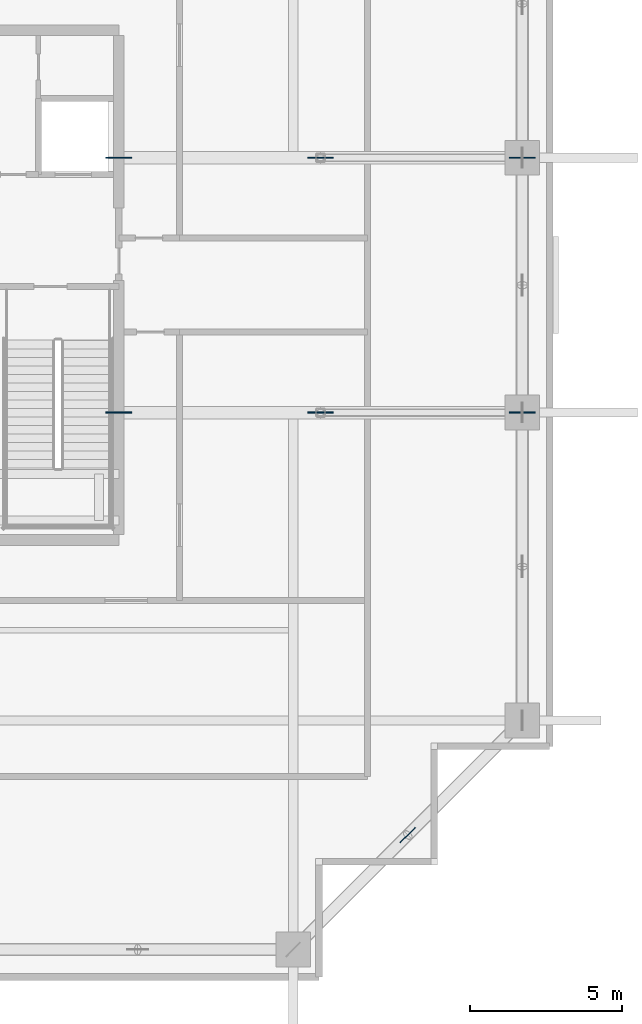
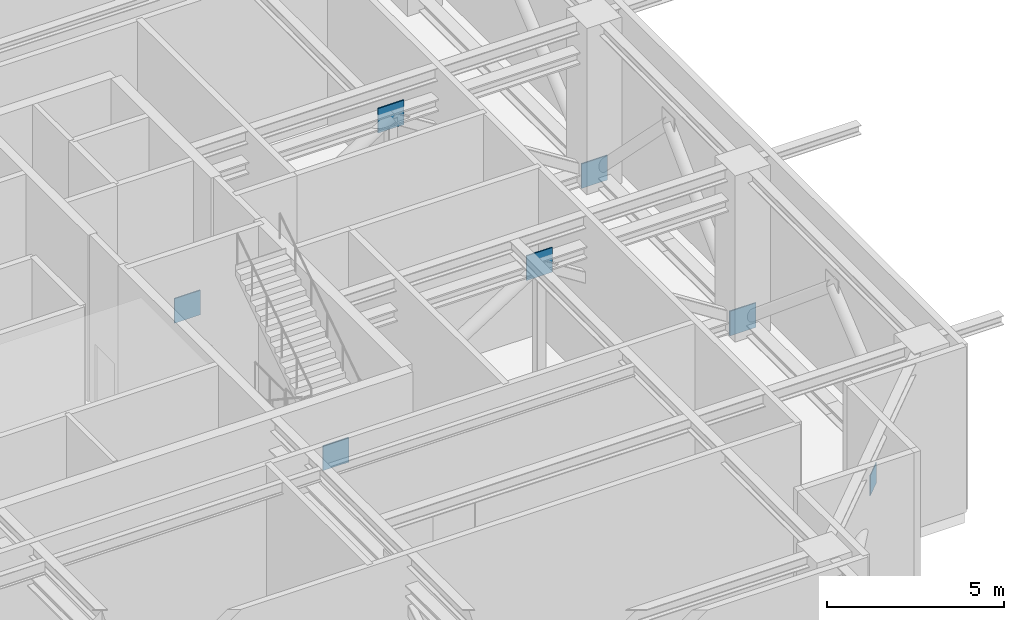
# One storey, part 9 of 22: 7 plates.
"""IFC4 building model written with IfcOpenShell, lengths in metres."""

from ifc_helpers import new_model, si_unit, direction, frame, origin, origin_2d, place, context, subcontext, project, spatial, rectangle, extrude, source, transform, mapped, material, layer, layer_set, type_object, element, save


model = new_model("IFC4")

# Units and contexts
model_context = context("Model", 3, precision=1e-05, world=origin(), true_north=direction((0.0, 1.0)))
body_context = subcontext(model_context, "Body", "Model", "MODEL_VIEW")
ifc_project = project(units=[si_unit("LENGTHUNIT", "METRE"), si_unit("AREAUNIT", "SQUARE_METRE"), si_unit("VOLUMEUNIT", "CUBIC_METRE"), si_unit("PLANEANGLEUNIT", "RADIAN"), si_unit("MASSUNIT", "GRAM", prefix="KILO")], contexts=[model_context])

# Site, building, storey
site_placement = place(None, origin())
site = spatial("IfcSite", under=ifc_project, at=site_placement, CompositionType="ELEMENT")
building_placement = place(site_placement, origin())
building = spatial("IfcBuilding", under=site, at=building_placement, Name="Serunith Strait Residences", CompositionType="ELEMENT")
storey_placement = place(building_placement, frame((0.0, 0.0, 287.449951171875)))
storey = spatial("IfcBuildingStorey", under=building, at=storey_placement, Name="L72", CompositionType="ELEMENT", Elevation=287.449951171875)

# Plates
ifc_material = material(Name="Steel S460M", Category="steel")
ifc_layer_1 = layer(ifc_material, 0.031982421875, Name="Steel S460M")
ifc_layer_set_1 = layer_set([ifc_layer_1], Name="Steel S460M")
plate_type_1 = type_object("IfcPlateType", Name="PLT-GUSSET-32", PredefinedType="USERDEFINED", material=ifc_layer_set_1)
shared_shape_1 = source(origin(), body_context, "Body", "SweptSolid", [
    extrude(rectangle(XDim=0.85009765625, YDim=0.0400390625, at=origin_2d()), origin(), (0.0, 0.0, 1.0), 0.85009765625),
])
for number, where, z_axis, x_axis, name in (
    (1, (41.39990234375, 21.0, -0.175048828125), (0.0, 0.0, 1.0), (1.0, 0.0, 0.0), "L72 Outrigger Gusset Plate ND-09"),
    (2, (48.050048828125, 21.0, 4.06494140625), (0.0, 0.0, 1.0), (1.0, 0.0, 0.0), "L72 Outrigger Gusset Plate ND-09"),
    (3, (54.699951171875, 21.0, -0.175048828125), (0.0, 0.0, 1.0), (1.0, 0.0, 0.0), "L72 Outrigger Gusset Plate ND-09"),
    (4, (41.39990234375, 29.39990234375, -0.175048828125), (0.0, 0.0, 1.0), (1.0, 0.0, 0.0), "L72 Outrigger Gusset Plate ND-09"),
    (5, (48.050048828125, 29.39990234375, 4.06494140625), (0.0, 0.0, 1.0), (1.0, 0.0, 0.0), "L72 Outrigger Gusset Plate ND-09"),
    (6, (54.699951171875, 29.39990234375, -0.175048828125), (0.0, 0.0, 1.0), (1.0, 0.0, 0.0), "L72 Outrigger Gusset Plate ND-09"),
):
    element("IfcPlate", number, at=place(storey_placement, frame(where, z_axis=z_axis, x_axis=x_axis)), inside=storey, type_object=plate_type_1, Name=name, ObjectType="GUSSET_PLATE", PredefinedType="USERDEFINED", context=body_context, shape_type="MappedRepresentation", body=[
        mapped(shared_shape_1, transform((0.0, 0.0, 0.0), scale=1.0)),
    ])
ifc_layer_2 = layer(ifc_material, 0.02490234375, Name="Steel S460M")
ifc_layer_set_2 = layer_set([ifc_layer_2], Name="Steel S460M")
plate_type_2 = type_object("IfcPlateType", Name="PLT-CAP-25", PredefinedType="SHEET", material=ifc_layer_set_2)
shared_shape_2 = source(origin(), body_context, "Body", "SweptSolid", [
    extrude(rectangle(XDim=0.699951171875, YDim=0.02490234375, at=origin_2d()), origin(), (0.0, 0.0, 1.0), 0.699951171875),
])
plate_placement = place(storey_placement, frame((50.925048828125, 7.074951171875, 4.14013671875), z_axis=(0.0, 0.0, 1.0), x_axis=(0.707106781187, 0.707106781187, 0.0)))
element("IfcPlate", 7, at=plate_placement, inside=storey, type_object=plate_type_2, Name="L72 Belt Truss Apex Gusset 04", PredefinedType="SHEET", context=body_context, shape_type="MappedRepresentation", body=[
    mapped(shared_shape_2, transform((0.0, 0.0, 0.0), scale=1.0)),
])

save(model, "model.ifc")
